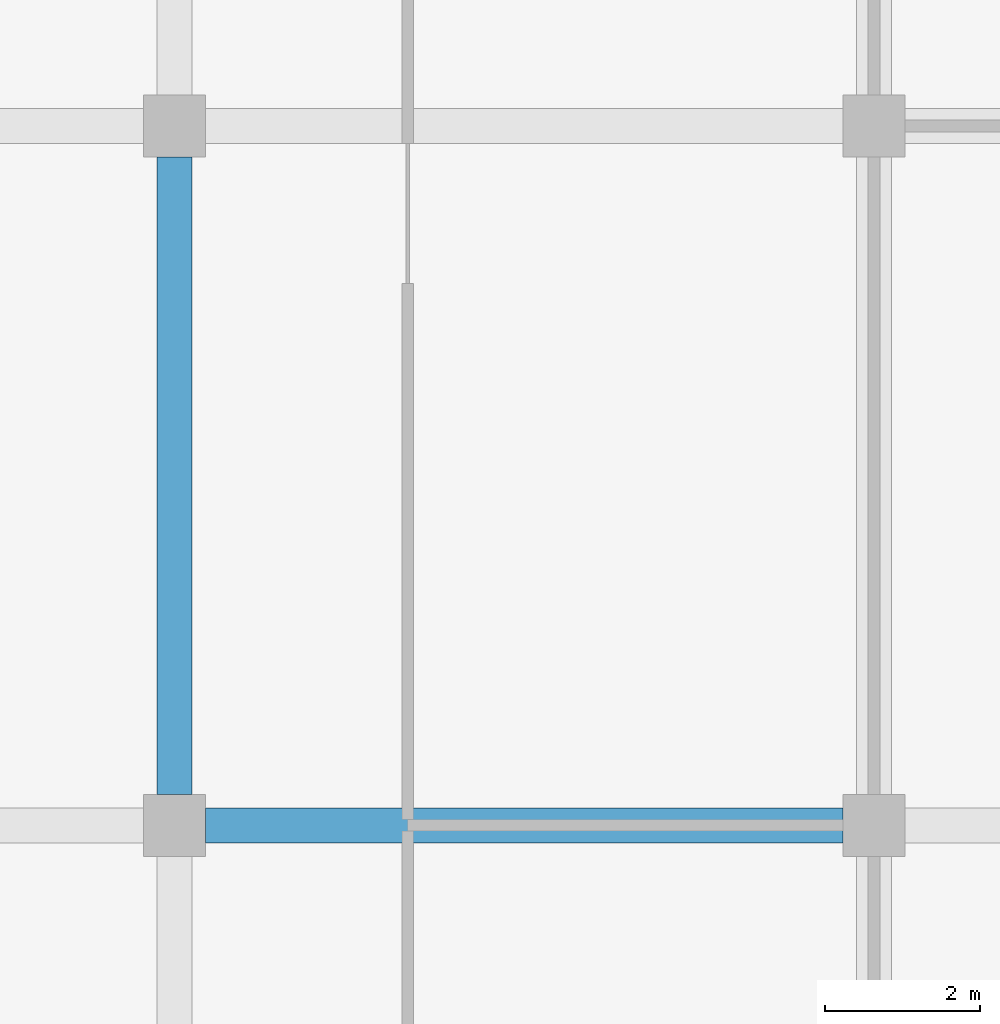
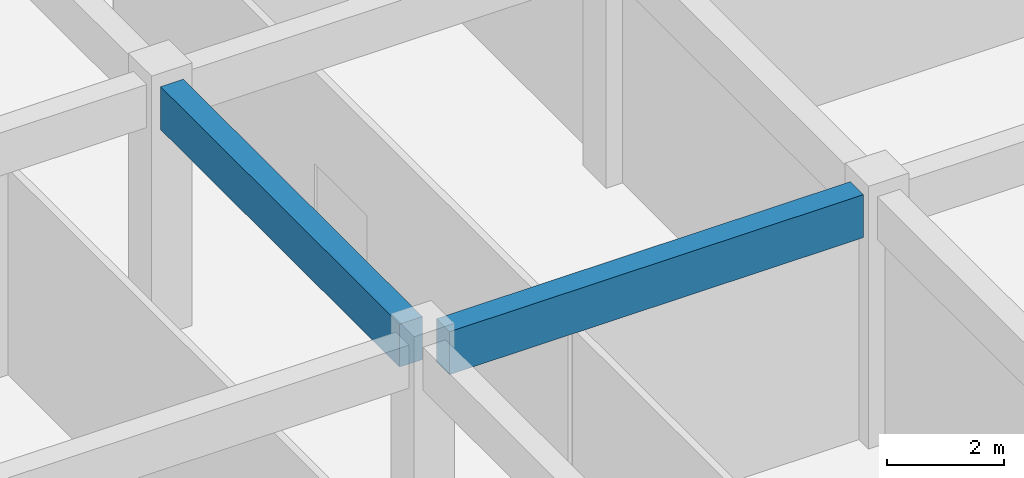
# One storey, part 211 of 437: 2 beams.
"""IFC4 building model written with IfcOpenShell, lengths in metres."""

from ifc_helpers import new_model, si_unit, direction, frame, origin, origin_2d, place, context, subcontext, project, spatial, rectangle, extrude, material, material_profile, profile_set, type_object, element, save


model = new_model("IFC4")

# Units and contexts
model_context = context("Model", 3, precision=1e-05, world=origin(), true_north=direction((0.0, 1.0)))
body_context = subcontext(model_context, "Body", "Model", "MODEL_VIEW")
ifc_project = project(units=[si_unit("LENGTHUNIT", "METRE"), si_unit("AREAUNIT", "SQUARE_METRE"), si_unit("VOLUMEUNIT", "CUBIC_METRE"), si_unit("PLANEANGLEUNIT", "RADIAN"), si_unit("MASSUNIT", "GRAM", prefix="KILO")], contexts=[model_context])

# Site, building, storey
site_placement = place(None, origin())
site = spatial("IfcSite", under=ifc_project, at=site_placement, CompositionType="ELEMENT")
building_placement = place(site_placement, origin())
building = spatial("IfcBuilding", under=site, at=building_placement, Name="Opaline Strait Convention Centre", CompositionType="ELEMENT")
storey_placement = place(building_placement, frame((0.0, 0.0, 11.5)))
storey = spatial("IfcBuildingStorey", under=building, at=storey_placement, Name="L02", CompositionType="ELEMENT", Elevation=11.5)

# Beams
ifc_material = material(Name="Concrete C35", Category="concrete")
ifc_material_profile = material_profile(ifc_material, rectangle(XDim=0.449951171875, YDim=0.89990234375, at=origin_2d()), Name="RC 450x900")
ifc_profile_set = profile_set([ifc_material_profile], Name="Concrete C35")
beam_type = type_object("IfcBeamType", Name="RC beam 450x900 C35", PredefinedType="BEAM", material=ifc_profile_set)
for number, where, z_axis, x_axis, name in (
    (1, (288.39990234375, 153.0, 4.77001953125), (1.0, 0.0, 0.0), (0.0, 1.0, 0.0), "XB1 L02 33/T-34/T"),
    (2, (288.0, 153.39990234375, 4.77001953125), (0.0, 1.0, 0.0), (-1.0, 0.0, 0.0), "XB1 L02 33/T-33/U"),
):
    element("IfcBeam", number, at=place(storey_placement, frame(where, z_axis=z_axis, x_axis=x_axis)), inside=storey, type_object=beam_type, Name=name, PredefinedType="BEAM", context=body_context, shape_type="SweptSolid", body=[
        extrude(rectangle(XDim=0.449951171875, YDim=0.89990234375, at=origin_2d()), origin(), (0.0, 0.0, 1.0), 8.2001953125),
    ])

save(model, "model.ifc")
